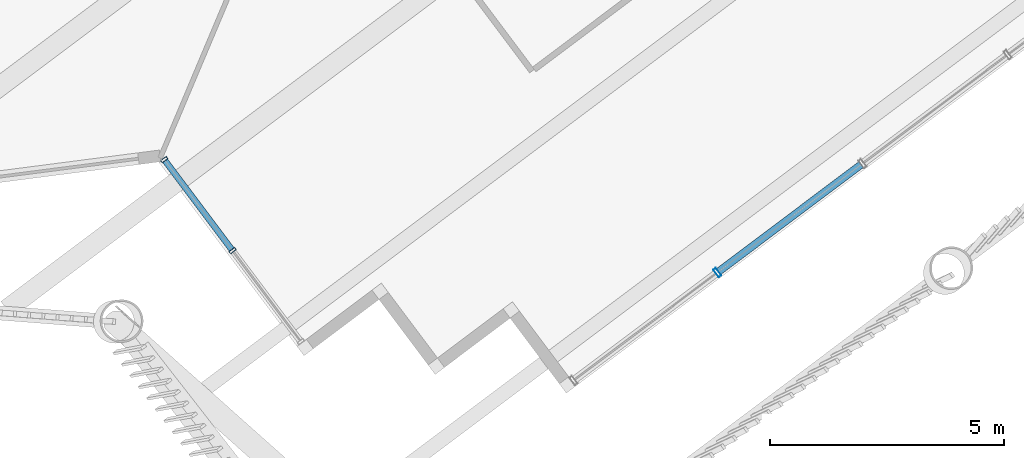
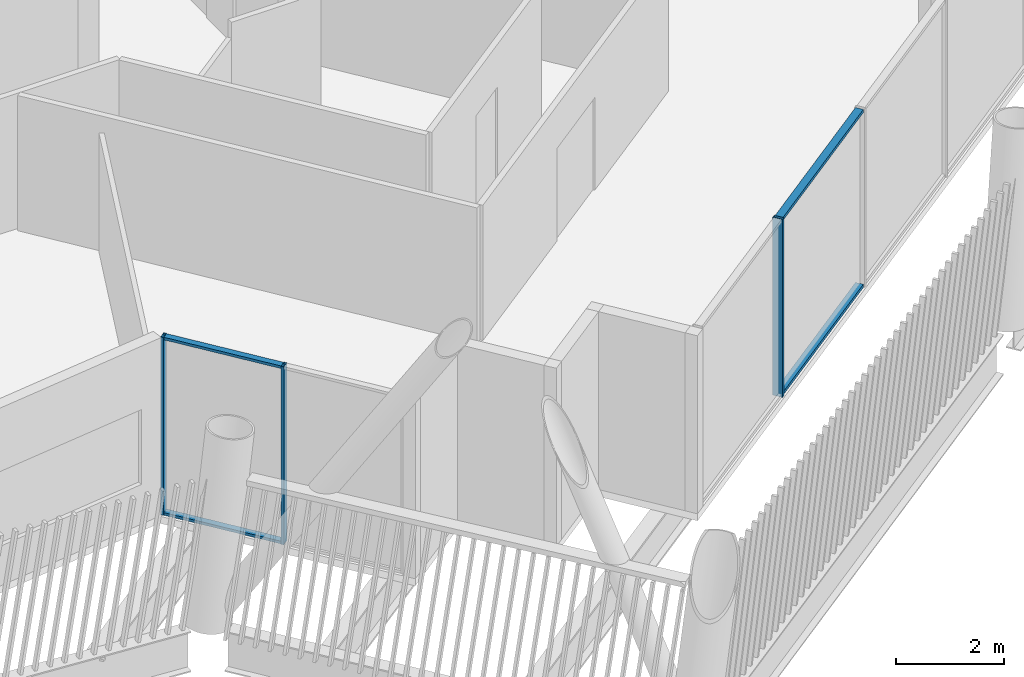
# One storey, part 10 of 35: 7 members, 2 elements without a shape of their own.
"""IFC4 building model written with IfcOpenShell, lengths in metres."""

from ifc_helpers import new_model, si_unit, direction, frame, origin, origin_2d, place, context, subcontext, project, spatial, hollow_rectangle, extrude, material, layer, layer_set, material_profile, profile_set, type_object, element, aggregate, save


model = new_model("IFC4")

# Units and contexts
model_context = context("Model", 3, precision=1e-05, world=origin(), true_north=direction((0.0, 1.0)))
body_context = subcontext(model_context, "Body", "Model", "MODEL_VIEW")
ifc_project = project(units=[si_unit("LENGTHUNIT", "METRE"), si_unit("AREAUNIT", "SQUARE_METRE"), si_unit("VOLUMEUNIT", "CUBIC_METRE"), si_unit("PLANEANGLEUNIT", "RADIAN"), si_unit("MASSUNIT", "GRAM", prefix="KILO")], contexts=[model_context])

# Site, building, storey
site_placement = place(None, origin())
site = spatial("IfcSite", under=ifc_project, at=site_placement, CompositionType="ELEMENT")
building_placement = place(site_placement, origin())
building = spatial("IfcBuilding", under=site, at=building_placement, Name="Tarsis Ring Headquarters", CompositionType="ELEMENT")
storey_placement = place(building_placement, frame((0.0, 0.0, 377.60009765625)))
storey = spatial("IfcBuildingStorey", under=building, at=storey_placement, Name="L89", CompositionType="ELEMENT", Elevation=377.60009765625)

# Curtain wall, member
ifc_material_1 = material(Name="Aluminium curtain wall", Category="aluminium")
ifc_layer_1 = layer(ifc_material_1, 0.199951171875)
ifc_layer_set_1 = layer_set([ifc_layer_1], Name="Curtain wall executive tip")
curtain_wall_type_1 = type_object("IfcCurtainWallType", Name="Curtain wall executive tip", PredefinedType="NOTDEFINED", material=ifc_layer_set_1)
curtain_wall_1_placement = place(storey_placement, origin())
curtain_wall_1 = element("IfcCurtainWall", 1, at=curtain_wall_1_placement, inside=storey, type_object=curtain_wall_type_1, Name="Curtain wall L89-11", PredefinedType="NOTDEFINED")
ifc_material_2 = material(Name="Aluminium mullion", Category="aluminium")
ifc_material_profile_1 = material_profile(ifc_material_2, hollow_rectangle(XDim=0.199951171875, YDim=0.070068359375, WallThickness=0.0048828125, at=origin_2d()), Name="RHS 200x70x5")
ifc_profile_set_1 = profile_set([ifc_material_profile_1], Name="Aluminium mullion")
member_type_1 = type_object("IfcMemberType", Name="Curtain wall mullion executive tip RHS 200x70x5", PredefinedType="MULLION", material=ifc_profile_set_1)
member_1_placement = place(storey_placement, frame((16.02978515625, -27.822265625, 0.0), z_axis=(0.0, 0.0, 1.0), x_axis=(-0.600141038412, 0.799894201763, 0.0)))
member_1 = element("IfcMember", 2, at=member_1_placement, type_object=member_type_1, Name="CW-E mullion 2", PredefinedType="MULLION", context=body_context, shape_type="SweptSolid", body=[
    extrude(hollow_rectangle(XDim=0.199951171875, YDim=0.070068359375, WallThickness=0.0048828125, at=origin_2d()), origin(), (0.0, 0.0, 1.0), 4.039794921875),
])

# Curtain wall, members
ifc_layer_2 = layer(ifc_material_1, 0.14990234375)
ifc_layer_set_2 = layer_set([ifc_layer_2], Name="Curtain wall tower unit")
curtain_wall_type_2 = type_object("IfcCurtainWallType", Name="Curtain wall tower unit", PredefinedType="NOTDEFINED", material=ifc_layer_set_2)
curtain_wall_2_placement = place(storey_placement, origin())
curtain_wall_2 = element("IfcCurtainWall", 3, at=curtain_wall_2_placement, inside=storey, type_object=curtain_wall_type_2, Name="Curtain wall L89-06", PredefinedType="NOTDEFINED")
ifc_material_profile_2 = material_profile(ifc_material_2, hollow_rectangle(XDim=0.14990234375, YDim=0.06005859375, WallThickness=0.0048828125, at=origin_2d()), Name="RHS 150x60x5")
ifc_profile_set_2 = profile_set([ifc_material_profile_2], Name="Aluminium mullion")
member_type_2 = type_object("IfcMemberType", Name="Curtain wall mullion tower unit RHS 150x60x5", PredefinedType="MULLION", material=ifc_profile_set_2)
member_2_placement = place(storey_placement, frame((4.21923828125, -25.41064453125, 0.0), z_axis=(0.0, 0.0, 1.0), x_axis=(0.799894274361, 0.60014094165, 0.0)))
member_2 = element("IfcMember", 4, at=member_2_placement, type_object=member_type_2, Name="CW-T mullion 1", PredefinedType="MULLION", context=body_context, shape_type="SweptSolid", body=[
    extrude(hollow_rectangle(XDim=0.14990234375, YDim=0.06005859375, WallThickness=0.0048828125, at=origin_2d()), origin(), (0.0, 0.0, 1.0), 4.039794921875),
])
member_3_placement = place(storey_placement, frame((5.67822265625, -27.355224609375, 0.0), z_axis=(0.0, 0.0, 1.0), x_axis=(0.799894274361, 0.60014094165, 0.0)))
member_3 = element("IfcMember", 5, at=member_3_placement, type_object=member_type_2, Name="CW-T mullion 2", PredefinedType="MULLION", context=body_context, shape_type="SweptSolid", body=[
    extrude(hollow_rectangle(XDim=0.14990234375, YDim=0.06005859375, WallThickness=0.0048828125, at=origin_2d()), origin(), (0.0, 0.0, 1.0), 4.039794921875),
])

# Member
ifc_material_3 = material(Name="Aluminium transom", Category="aluminium")
ifc_material_profile_3 = material_profile(ifc_material_3, hollow_rectangle(XDim=0.159912109375, YDim=0.070068359375, WallThickness=0.0048828125, at=origin_2d()), Name="RHS 160x70x5")
ifc_profile_set_3 = profile_set([ifc_material_profile_3], Name="Aluminium transom")
member_type_3 = type_object("IfcMemberType", Name="Curtain wall transom executive tip RHS 160x70x5", PredefinedType="USERDEFINED", material=ifc_profile_set_3)
member_4_placement = place(storey_placement, frame((16.057861328125, -27.80126953125, 0.034912109375), z_axis=(0.799884496924, 0.600153973227, 0.0), x_axis=(-0.600153973227, 0.799884496924, 0.0)))
member_4 = element("IfcMember", 6, at=member_4_placement, type_object=member_type_3, Name="CW-E transom 2.1", ObjectType="TRANSOM", PredefinedType="USERDEFINED", context=body_context, shape_type="SweptSolid", body=[
    extrude(hollow_rectangle(XDim=0.159912109375, YDim=0.070068359375, WallThickness=0.0048828125, at=origin_2d()), origin(), (0.0, 0.0, 1.0), 3.80517578125),
])

member_5_placement = place(storey_placement, frame((16.057861328125, -27.80126953125, 4.0048828125), z_axis=(0.799884496924, 0.600153973227, 0.0), x_axis=(-0.600153973227, 0.799884496924, 0.0)))
member_5 = element("IfcMember", 7, at=member_5_placement, type_object=member_type_3, Name="CW-E transom 2.2", ObjectType="TRANSOM", PredefinedType="USERDEFINED", context=body_context, shape_type="SweptSolid", body=[
    extrude(hollow_rectangle(XDim=0.159912109375, YDim=0.070068359375, WallThickness=0.0048828125, at=origin_2d()), origin(), (0.0, 0.0, 1.0), 3.80517578125),
])

aggregate(curtain_wall_1, [member_1, member_4, member_5])

ifc_material_profile_4 = material_profile(ifc_material_3, hollow_rectangle(XDim=0.1298828125, YDim=0.06005859375, WallThickness=0.0048828125, at=origin_2d()), Name="RHS 130x60x5")
ifc_profile_set_4 = profile_set([ifc_material_profile_4], Name="Aluminium transom")
member_type_4 = type_object("IfcMemberType", Name="Curtain wall transom tower unit RHS 130x60x5", PredefinedType="USERDEFINED", material=ifc_profile_set_4)
member_6_placement = place(storey_placement, frame((4.2373046875, -25.4345703125, 0.02978515625), z_axis=(0.600082369142, -0.799938216517, 0.0), x_axis=(0.799938216517, 0.600082369142, 0.0)))
member_6 = element("IfcMember", 8, at=member_6_placement, type_object=member_type_4, Name="CW-T transom 1.1", ObjectType="TRANSOM", PredefinedType="USERDEFINED", context=body_context, shape_type="SweptSolid", body=[
    extrude(hollow_rectangle(XDim=0.1298828125, YDim=0.06005859375, WallThickness=0.0048828125, at=origin_2d()), origin(), (0.0, 0.0, 1.0), 2.37109375),
])

member_7_placement = place(storey_placement, frame((4.2373046875, -25.4345703125, 4.010009765625), z_axis=(0.600082369142, -0.799938216517, 0.0), x_axis=(0.799938216517, 0.600082369142, 0.0)))
member_7 = element("IfcMember", 9, at=member_7_placement, type_object=member_type_4, Name="CW-T transom 1.2", ObjectType="TRANSOM", PredefinedType="USERDEFINED", context=body_context, shape_type="SweptSolid", body=[
    extrude(hollow_rectangle(XDim=0.1298828125, YDim=0.06005859375, WallThickness=0.0048828125, at=origin_2d()), origin(), (0.0, 0.0, 1.0), 2.37109375),
])

aggregate(curtain_wall_2, [member_2, member_3, member_6, member_7])

save(model, "model.ifc")
